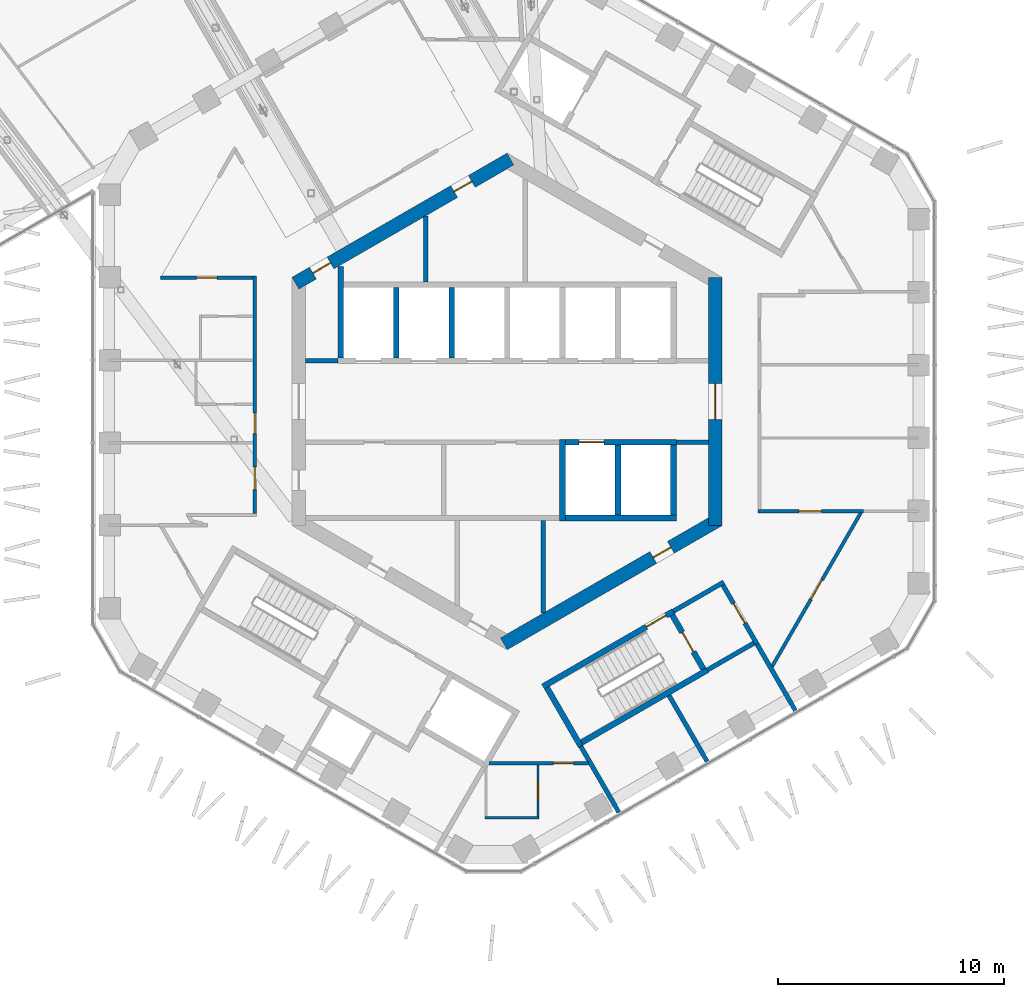
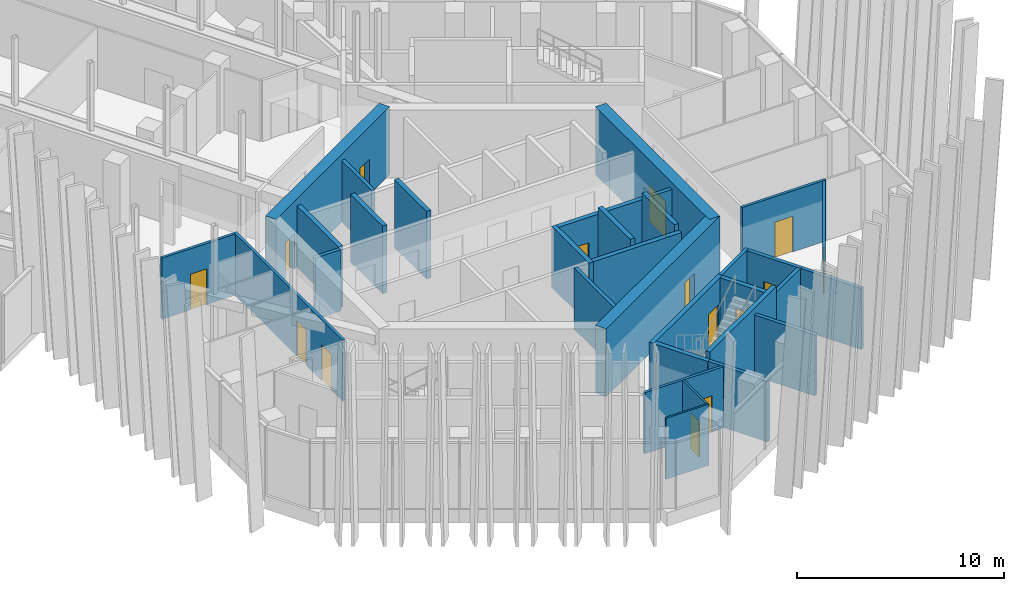
# One storey, part 19 of 29: 32 walls, 15 doors, 15 openings.
"""IFC4 building model written with IfcOpenShell, lengths in metres."""

from ifc_helpers import new_model, si_unit, direction, frame, frame_2d, origin, place, context, subcontext, project, spatial, rectangle, extrude, material, layer, layer_set, type_object, element, fill, save


model = new_model("IFC4")

# Units and contexts
model_context = context("Model", 3, precision=1e-05, world=origin(), true_north=direction((0.0, 1.0)))
body_context = subcontext(model_context, "Body", "Model", "MODEL_VIEW")
ifc_project = project(units=[si_unit("LENGTHUNIT", "METRE"), si_unit("AREAUNIT", "SQUARE_METRE"), si_unit("VOLUMEUNIT", "CUBIC_METRE"), si_unit("PLANEANGLEUNIT", "RADIAN"), si_unit("MASSUNIT", "GRAM", prefix="KILO")], contexts=[model_context])

# Site, building, storey
site_placement = place(None, origin())
site = spatial("IfcSite", under=ifc_project, at=site_placement, CompositionType="ELEMENT")
building_placement = place(site_placement, origin())
building = spatial("IfcBuilding", under=site, at=building_placement, Name="Ayvan Gate Tower", CompositionType="ELEMENT")
storey_placement = place(building_placement, frame((0.0, 0.0, 186.699951171875)))
storey = spatial("IfcBuildingStorey", under=building, at=storey_placement, Name="L50", CompositionType="ELEMENT", Elevation=186.699951171875)

# Wall, opening, door
ifc_material_1 = material(Name="Concrete C60/75", Category="concrete")
ifc_layer_1 = layer(ifc_material_1, 0.60009765625)
ifc_layer_set_1 = layer_set([ifc_layer_1], Name="Concrete C60/75")
wall_type_1 = type_object("IfcWallType", Name="Core wall 600 C60/75", PredefinedType="SHEAR", material=ifc_layer_set_1)
wall_1_placement = place(storey_placement, frame((9.199951171875, -5.48486328125, 0.0), z_axis=(0.0, 0.0, 1.0), x_axis=(0.0, 1.0, 0.0)))
wall_1 = element("IfcWall", 1, at=wall_1_placement, inside=storey, type_object=wall_type_1, Name="CORE-L50-0", PredefinedType="SHEAR", context=body_context, shape_type="SweptSolid", body=[
    extrude(rectangle(XDim=10.9697265625, YDim=0.60009765625, at=frame_2d((5.48486328125, 0.0))), origin(), (0.0, 0.0, 1.0), 4.0),
])
opening_1_placement = place(wall_1_placement, frame((4.684814453125, 0.0, 0.0)))
opening_1 = element("IfcOpeningElement", 2, at=opening_1_placement, cuts=wall_1, Name="Opening L50-D55", PredefinedType="OPENING", context=body_context, shape_type="SweptSolid", body=[
    extrude(rectangle(XDim=1.60009765625, YDim=2.10009765625, at=frame_2d((0.800048828125, 1.050048828125))), frame((0.0, 0.31005859375, 0.0), z_axis=(0.0, -1.0, 0.0), x_axis=(1.0, 0.0, 0.0)), (0.0, 0.0, 1.0), 0.6201171875),
])
ifc_material_2 = material(Name="Timber door leaf", Category="wood")
door_type_1 = type_object("IfcDoorType", Name="DT-1600", OperationType="NOTDEFINED", PredefinedType="DOOR", material=ifc_material_2)
door_1_placement = place(opening_1_placement, origin())
door_1 = element("IfcDoor", 3, at=door_1_placement, inside=storey, type_object=door_type_1, Name="CD-L50-55", OperationType="SINGLE_SWING_LEFT", OverallHeight=2.10009765625, OverallWidth=1.60009765625, PredefinedType="DOOR", context=body_context, shape_type="SweptSolid", body=[
    extrude(rectangle(XDim=1.60009765625, YDim=2.10009765625, at=frame_2d((0.800048828125, 1.050048828125))), frame((0.0, 0.02490234375, 0.0), z_axis=(0.0, -1.0, 0.0), x_axis=(1.0, 0.0, 0.0)), (0.0, 0.0, 1.0), 0.050048828125),
])
fill(opening_1, door_1)

# Wall, openings, doors
wall_2_placement = place(storey_placement, frame((0.14990234375, 10.7099609375, 0.0), z_axis=(0.0, 0.0, 1.0), x_axis=(-0.866023993627, -0.500002442456, 0.0)))
wall_2 = element("IfcWall", 4, at=wall_2_placement, inside=storey, type_object=wall_type_1, Name="CORE-L50-2", PredefinedType="SHEAR", context=body_context, shape_type="SweptSolid", body=[
    extrude(rectangle(XDim=10.9697265625, YDim=0.60009765625, at=frame_2d((5.48486328125, 0.0))), origin(), (0.0, 0.0, 1.0), 4.0),
])
opening_2_placement = place(wall_2_placement, frame((9.182373046875, 0.0, 0.0)))
opening_2 = element("IfcOpeningElement", 5, at=opening_2_placement, cuts=wall_2, Name="Opening L50-D48", PredefinedType="OPENING", context=body_context, shape_type="SweptSolid", body=[
    extrude(rectangle(XDim=0.89990234375, YDim=2.10009765625, at=frame_2d((0.449951171875, 1.050048828125))), frame((0.0, 0.31005859375, 0.0), z_axis=(0.0, -1.0, 0.0), x_axis=(1.0, 0.0, 0.0)), (0.0, 0.0, 1.0), 0.6201171875),
])
opening_3_placement = place(wall_2_placement, frame((1.975341796875, 0.0, 0.0)))
opening_3 = element("IfcOpeningElement", 6, at=opening_3_placement, cuts=wall_2, Name="Opening L50-D49", PredefinedType="OPENING", context=body_context, shape_type="SweptSolid", body=[
    extrude(rectangle(XDim=0.89990234375, YDim=2.10009765625, at=frame_2d((0.449951171875, 1.050048828125))), frame((0.0, 0.31005859375, 0.0), z_axis=(0.0, -1.0, 0.0), x_axis=(1.0, 0.0, 0.0)), (0.0, 0.0, 1.0), 0.6201171875),
])
door_type_2 = type_object("IfcDoorType", Name="DT-900", OperationType="NOTDEFINED", PredefinedType="DOOR", material=ifc_material_2)
door_2_placement = place(opening_2_placement, origin())
door_2 = element("IfcDoor", 7, at=door_2_placement, inside=storey, type_object=door_type_2, Name="CD-L50-48", OperationType="SINGLE_SWING_RIGHT", OverallHeight=2.10009765625, OverallWidth=0.89990234375, PredefinedType="DOOR", context=body_context, shape_type="SweptSolid", body=[
    extrude(rectangle(XDim=0.89990234375, YDim=2.10009765625, at=frame_2d((0.449951171875, 1.050048828125))), frame((0.0, 0.02490234375, 0.0), z_axis=(0.0, -1.0, 0.0), x_axis=(1.0, 0.0, 0.0)), (0.0, 0.0, 1.0), 0.050048828125),
])
fill(opening_2, door_2)
door_3_placement = place(opening_3_placement, origin())
door_3 = element("IfcDoor", 8, at=door_3_placement, inside=storey, type_object=door_type_2, Name="CD-L50-49", OperationType="SINGLE_SWING_LEFT", OverallHeight=2.10009765625, OverallWidth=0.89990234375, PredefinedType="DOOR", context=body_context, shape_type="SweptSolid", body=[
    extrude(rectangle(XDim=0.89990234375, YDim=2.10009765625, at=frame_2d((0.449951171875, 1.050048828125))), frame((0.0, 0.02490234375, 0.0), z_axis=(0.0, -1.0, 0.0), x_axis=(1.0, 0.0, 0.0)), (0.0, 0.0, 1.0), 0.050048828125),
])
fill(opening_3, door_3)

# Wall, opening, door
wall_3_placement = place(storey_placement, frame((-0.14990234375, -10.7099609375, 0.0), z_axis=(0.0, 0.0, 1.0), x_axis=(0.866023993627, 0.500002442456, 0.0)))
wall_3 = element("IfcWall", 9, at=wall_3_placement, inside=storey, type_object=wall_type_1, Name="CORE-L50-5", PredefinedType="SHEAR", context=body_context, shape_type="SweptSolid", body=[
    extrude(rectangle(XDim=10.9697265625, YDim=0.60009765625, at=frame_2d((5.48486328125, 0.0))), origin(), (0.0, 0.0, 1.0), 4.0),
])
opening_4_placement = place(wall_3_placement, frame((7.627685546875, 0.0, 0.0)))
opening_4 = element("IfcOpeningElement", 10, at=opening_4_placement, cuts=wall_3, Name="Opening L50-D53", PredefinedType="OPENING", context=body_context, shape_type="SweptSolid", body=[
    extrude(rectangle(XDim=0.89990234375, YDim=2.10009765625, at=frame_2d((0.449951171875, 1.050048828125))), frame((0.0, 0.31005859375, 0.0), z_axis=(0.0, -1.0, 0.0), x_axis=(1.0, 0.0, 0.0)), (0.0, 0.0, 1.0), 0.6201171875),
])
door_4_placement = place(opening_4_placement, origin())
door_4 = element("IfcDoor", 11, at=door_4_placement, inside=storey, type_object=door_type_2, Name="CD-L50-53", OperationType="SINGLE_SWING_LEFT", OverallHeight=2.10009765625, OverallWidth=0.89990234375, PredefinedType="DOOR", context=body_context, shape_type="SweptSolid", body=[
    extrude(rectangle(XDim=0.89990234375, YDim=2.10009765625, at=frame_2d((0.449951171875, 1.050048828125))), frame((0.0, 0.02490234375, 0.0), z_axis=(0.0, -1.0, 0.0), x_axis=(1.0, 0.0, 0.0)), (0.0, 0.0, 1.0), 0.050048828125),
])
fill(opening_4, door_4)

# Wall, openings, doors
ifc_material_3 = material(Name="Plasterboard on steel stud", Category="steel")
ifc_layer_2 = layer(ifc_material_3, 0.14990234375)
ifc_layer_set_2 = layer_set([ifc_layer_2], Name="Plasterboard on steel stud")
wall_type_2 = type_object("IfcWallType", Name="WT-CORR-150", PredefinedType="PARTITIONING", material=ifc_layer_set_2)
wall_4_placement = place(storey_placement, frame((-11.14990234375, 5.54150390625, 0.0), z_axis=(0.0, 0.0, 1.0), x_axis=(0.0, -1.0, 0.0)))
wall_4 = element("IfcWall", 12, at=wall_4_placement, inside=storey, type_object=wall_type_2, Name="IW-L50-028", PredefinedType="PARTITIONING", context=body_context, shape_type="SweptSolid", body=[
    extrude(rectangle(XDim=10.48291015625, YDim=0.14990234375, at=frame_2d((5.241455078125, 0.0))), origin(), (0.0, 0.0, 1.0), 3.60009765625),
])
opening_5_placement = place(wall_4_placement, frame((6.0634765625, 0.0, 0.0)))
opening_5 = element("IfcOpeningElement", 13, at=opening_5_placement, cuts=wall_4, Name="Opening L50-D27", PredefinedType="OPENING", context=body_context, shape_type="SweptSolid", body=[
    extrude(rectangle(XDim=0.89990234375, YDim=2.10009765625, at=frame_2d((0.449951171875, 1.050048828125))), frame((0.0, 0.0849609375, 0.0), z_axis=(0.0, -1.0, 0.0), x_axis=(1.0, 0.0, 0.0)), (0.0, 0.0, 1.0), 0.169921875),
])
opening_6_placement = place(wall_4_placement, frame((8.43798828125, 0.0, 0.0)))
opening_6 = element("IfcOpeningElement", 14, at=opening_6_placement, cuts=wall_4, Name="Opening L50-D29", PredefinedType="OPENING", context=body_context, shape_type="SweptSolid", body=[
    extrude(rectangle(XDim=1.0, YDim=2.10009765625, at=frame_2d((0.5, 1.050048828125))), frame((0.0, 0.0849609375, 0.0), z_axis=(0.0, -1.0, 0.0), x_axis=(1.0, 0.0, 0.0)), (0.0, 0.0, 1.0), 0.169921875),
])
door_type_3 = type_object("IfcDoorType", Name="DT-1000", OperationType="NOTDEFINED", PredefinedType="DOOR", material=ifc_material_2)
door_5_placement = place(opening_6_placement, origin())
door_5 = element("IfcDoor", 15, at=door_5_placement, inside=storey, type_object=door_type_3, Name="ID-L50-029", OperationType="SINGLE_SWING_LEFT", OverallHeight=2.10009765625, OverallWidth=1.0, PredefinedType="DOOR", context=body_context, shape_type="SweptSolid", body=[
    extrude(rectangle(XDim=1.0, YDim=2.10009765625, at=frame_2d((0.5, 1.050048828125))), frame((0.0, 0.02490234375, 0.0), z_axis=(0.0, -1.0, 0.0), x_axis=(1.0, 0.0, 0.0)), (0.0, 0.0, 1.0), 0.050048828125),
])
fill(opening_6, door_5)
door_6_placement = place(opening_5_placement, origin())
door_6 = element("IfcDoor", 16, at=door_6_placement, inside=storey, type_object=door_type_2, Name="ID-L50-027", OperationType="SINGLE_SWING_LEFT", OverallHeight=2.10009765625, OverallWidth=0.89990234375, PredefinedType="DOOR", context=body_context, shape_type="SweptSolid", body=[
    extrude(rectangle(XDim=0.89990234375, YDim=2.10009765625, at=frame_2d((0.449951171875, 1.050048828125))), frame((0.0, 0.02490234375, 0.0), z_axis=(0.0, -1.0, 0.0), x_axis=(1.0, 0.0, 0.0)), (0.0, 0.0, 1.0), 0.050048828125),
])
fill(opening_5, door_6)

# Wall, opening, door
wall_5_placement = place(storey_placement, frame((-11.22509765625, 5.46630859375, 0.0), z_axis=(0.0, 0.0, 1.0), x_axis=(-1.0, 0.0, 0.0)))
wall_5 = element("IfcWall", 17, at=wall_5_placement, inside=storey, type_object=wall_type_2, Name="IW-L50-030", PredefinedType="PARTITIONING", context=body_context, shape_type="SweptSolid", body=[
    extrude(rectangle(XDim=4.086181640625, YDim=0.14990234375, at=frame_2d((2.04296875, 0.0))), origin(), (0.0, 0.0, 1.0), 3.60009765625),
])
opening_7_placement = place(wall_5_placement, frame((1.59326171875, 0.0, 0.0)))
opening_7 = element("IfcOpeningElement", 18, at=opening_7_placement, cuts=wall_5, Name="Opening L50-D25", PredefinedType="OPENING", context=body_context, shape_type="SweptSolid", body=[
    extrude(rectangle(XDim=0.89990234375, YDim=2.10009765625, at=frame_2d((0.449951171875, 1.050048828125))), frame((0.0, 0.0849609375, 0.0), z_axis=(0.0, -1.0, 0.0), x_axis=(1.0, 0.0, 0.0)), (0.0, 0.0, 1.0), 0.169921875),
])
door_7_placement = place(opening_7_placement, origin())
door_7 = element("IfcDoor", 19, at=door_7_placement, inside=storey, type_object=door_type_2, Name="ID-L50-025", OperationType="SINGLE_SWING_LEFT", OverallHeight=2.10009765625, OverallWidth=0.89990234375, PredefinedType="DOOR", context=body_context, shape_type="SweptSolid", body=[
    extrude(rectangle(XDim=0.89990234375, YDim=2.10009765625, at=frame_2d((0.449951171875, 1.050048828125))), frame((0.0, 0.02490234375, 0.0), z_axis=(0.0, -1.0, 0.0), x_axis=(1.0, 0.0, 0.0)), (0.0, 0.0, 1.0), 0.050048828125),
])
fill(opening_7, door_7)

wall_6_placement = place(storey_placement, frame((-0.794921875, -15.993408203125, 0.0), z_axis=(0.0, 0.0, 1.0), x_axis=(1.0, 0.0, 0.0)))
wall_6 = element("IfcWall", 20, at=wall_6_placement, inside=storey, type_object=wall_type_2, Name="IW-L50-084", PredefinedType="PARTITIONING", context=body_context, shape_type="SweptSolid", body=[
    extrude(rectangle(XDim=4.385986328125, YDim=0.14990234375, at=frame_2d((2.19287109375, 0.0))), origin(), (0.0, 0.0, 1.0), 3.60009765625),
])
opening_8_placement = place(wall_6_placement, frame((2.8369140625, 0.0, 0.0)))
opening_8 = element("IfcOpeningElement", 21, at=opening_8_placement, cuts=wall_6, Name="Opening L50-D31", PredefinedType="OPENING", context=body_context, shape_type="SweptSolid", body=[
    extrude(rectangle(XDim=0.89990234375, YDim=2.10009765625, at=frame_2d((0.449951171875, 1.050048828125))), frame((0.0, 0.0849609375, 0.0), z_axis=(0.0, -1.0, 0.0), x_axis=(1.0, 0.0, 0.0)), (0.0, 0.0, 1.0), 0.169921875),
])
door_8_placement = place(opening_8_placement, origin())
door_8 = element("IfcDoor", 22, at=door_8_placement, inside=storey, type_object=door_type_2, Name="ID-L50-031", OperationType="SINGLE_SWING_LEFT", OverallHeight=2.10009765625, OverallWidth=0.89990234375, PredefinedType="DOOR", context=body_context, shape_type="SweptSolid", body=[
    extrude(rectangle(XDim=0.89990234375, YDim=2.10009765625, at=frame_2d((0.449951171875, 1.050048828125))), frame((0.0, 0.02490234375, 0.0), z_axis=(0.0, -1.0, 0.0), x_axis=(1.0, 0.0, 0.0)), (0.0, 0.0, 1.0), 0.050048828125),
])
fill(opening_8, door_8)

wall_7_placement = place(storey_placement, frame((11.074951171875, -4.849609375, 0.0), z_axis=(0.0, 0.0, 1.0), x_axis=(1.0, 0.0, 0.0)))
wall_7 = element("IfcWall", 23, at=wall_7_placement, inside=storey, type_object=wall_type_2, Name="IW-L50-117", PredefinedType="PARTITIONING", context=body_context, shape_type="SweptSolid", body=[
    extrude(rectangle(XDim=4.66748046875, YDim=0.14990234375, at=frame_2d((2.333740234375, 0.0))), origin(), (0.0, 0.0, 1.0), 3.60009765625),
])
opening_9_placement = place(wall_7_placement, frame((1.81640625, 0.0, 0.0)))
opening_9 = element("IfcOpeningElement", 24, at=opening_9_placement, cuts=wall_7, Name="Opening L50-D21", PredefinedType="OPENING", context=body_context, shape_type="SweptSolid", body=[
    extrude(rectangle(XDim=1.0, YDim=2.10009765625, at=frame_2d((0.5, 1.050048828125))), frame((0.0, 0.0849609375, 0.0), z_axis=(0.0, -1.0, 0.0), x_axis=(1.0, 0.0, 0.0)), (0.0, 0.0, 1.0), 0.169921875),
])
door_9_placement = place(opening_9_placement, origin())
door_9 = element("IfcDoor", 25, at=door_9_placement, inside=storey, type_object=door_type_3, Name="ID-L50-021", OperationType="SINGLE_SWING_LEFT", OverallHeight=2.10009765625, OverallWidth=1.0, PredefinedType="DOOR", context=body_context, shape_type="SweptSolid", body=[
    extrude(rectangle(XDim=1.0, YDim=2.10009765625, at=frame_2d((0.5, 1.050048828125))), frame((0.0, 0.02490234375, 0.0), z_axis=(0.0, -1.0, 0.0), x_axis=(1.0, 0.0, 0.0)), (0.0, 0.0, 1.0), 0.050048828125),
])
fill(opening_9, door_9)

wall_8_placement = place(storey_placement, frame((15.6298828125, -4.91455078125, 0.0), z_axis=(0.0, 0.0, 1.0), x_axis=(-0.499989217622, -0.866031628904, 0.0)))
wall_8 = element("IfcWall", 26, at=wall_8_placement, inside=storey, type_object=wall_type_2, Name="IW-L50-130", PredefinedType="PARTITIONING", context=body_context, shape_type="SweptSolid", body=[
    extrude(rectangle(XDim=7.843017578125, YDim=0.14990234375, at=frame_2d((3.92138671875, 0.0))), origin(), (0.0, 0.0, 1.0), 3.60009765625),
])
opening_10_placement = place(wall_8_placement, frame((3.42138671875, 0.0, 0.0)))
opening_10 = element("IfcOpeningElement", 27, at=opening_10_placement, cuts=wall_8, Name="Opening L50-D33", PredefinedType="OPENING", context=body_context, shape_type="SweptSolid", body=[
    extrude(rectangle(XDim=1.0, YDim=2.10009765625, at=frame_2d((0.5, 1.050048828125))), frame((0.0, 0.0849609375, 0.0), z_axis=(0.0, -1.0, 0.0), x_axis=(1.0, 0.0, 0.0)), (0.0, 0.0, 1.0), 0.169921875),
])
door_10_placement = place(opening_10_placement, origin())
door_10 = element("IfcDoor", 28, at=door_10_placement, inside=storey, type_object=door_type_3, Name="ID-L50-033", OperationType="SINGLE_SWING_LEFT", OverallHeight=2.10009765625, OverallWidth=1.0, PredefinedType="DOOR", context=body_context, shape_type="SweptSolid", body=[
    extrude(rectangle(XDim=1.0, YDim=2.10009765625, at=frame_2d((0.5, 1.050048828125))), frame((0.0, 0.02490234375, 0.0), z_axis=(0.0, -1.0, 0.0), x_axis=(1.0, 0.0, 0.0)), (0.0, 0.0, 1.0), 0.050048828125),
])
fill(opening_10, door_10)

# Wall
ifc_layer_3 = layer(ifc_material_3, 0.10009765625)
ifc_layer_set_3 = layer_set([ifc_layer_3], Name="Plasterboard on steel stud")
wall_type_3 = type_object("IfcWallType", Name="WT-PART-100", PredefinedType="PARTITIONING", material=ifc_layer_set_3)
wall_9_placement = place(storey_placement, frame((-0.9873046875, -18.393310546875, 0.0), z_axis=(0.0, 0.0, 1.0), x_axis=(1.0, 0.0, 0.0)))
element("IfcWall", 29, at=wall_9_placement, inside=storey, type_object=wall_type_3, Name="IW-L50-066", PredefinedType="PARTITIONING", context=body_context, shape_type="SweptSolid", body=[
    extrude(rectangle(XDim=2.400146484375, YDim=0.10009765625, at=frame_2d((1.2001953125, 0.0))), origin(), (0.0, 0.0, 1.0), 3.60009765625),
])

# Wall, opening, door
wall_10_placement = place(storey_placement, frame((1.36279296875, -18.34326171875, 0.0), z_axis=(0.0, 0.0, 1.0), x_axis=(0.0, 1.0, 0.0)))
wall_10 = element("IfcWall", 30, at=wall_10_placement, inside=storey, type_object=wall_type_3, Name="IW-L50-083", PredefinedType="PARTITIONING", context=body_context, shape_type="SweptSolid", body=[
    extrude(rectangle(XDim=2.27490234375, YDim=0.10009765625, at=frame_2d((1.137451171875, 0.0))), origin(), (0.0, 0.0, 1.0), 3.60009765625),
])
opening_11_placement = place(wall_10_placement, frame((0.737548828125, 0.0, 0.0)))
opening_11 = element("IfcOpeningElement", 31, at=opening_11_placement, cuts=wall_10, Name="Opening L50-D32", PredefinedType="OPENING", context=body_context, shape_type="SweptSolid", body=[
    extrude(rectangle(XDim=0.800048828125, YDim=2.10009765625, at=frame_2d((0.39990234375, 1.050048828125))), frame((0.0, 0.06005859375, 0.0), z_axis=(0.0, -1.0, 0.0), x_axis=(1.0, 0.0, 0.0)), (0.0, 0.0, 1.0), 0.1201171875),
])
door_type_4 = type_object("IfcDoorType", Name="DT-800", OperationType="NOTDEFINED", PredefinedType="DOOR", material=ifc_material_2)
door_11_placement = place(opening_11_placement, origin())
door_11 = element("IfcDoor", 32, at=door_11_placement, inside=storey, type_object=door_type_4, Name="ID-L50-032", OperationType="SINGLE_SWING_RIGHT", OverallHeight=2.10009765625, OverallWidth=0.800048828125, PredefinedType="DOOR", context=body_context, shape_type="SweptSolid", body=[
    extrude(rectangle(XDim=0.800048828125, YDim=2.10009765625, at=frame_2d((0.39990234375, 1.050048828125))), frame((0.0, 0.02490234375, 0.0), z_axis=(0.0, -1.0, 0.0), x_axis=(1.0, 0.0, 0.0)), (0.0, 0.0, 1.0), 0.050048828125),
])
fill(opening_11, door_11)

# Walls
ifc_layer_4 = layer(ifc_material_3, 0.199951171875)
ifc_layer_set_4 = layer_set([ifc_layer_4], Name="Plasterboard on steel stud")
wall_type_4 = type_object("IfcWallType", Name="WT-PLUMB-200", PredefinedType="PLUMBINGWALL", material=ifc_layer_set_4)
for number, where, z_axis, x_axis, name in (
    (33, (3.255615234375, -15.23876953125, 0.0), (0.0, 0.0, 1.0), (0.499971653852, -0.866041768822, 0.0), "IW-L50-094"),
    (34, (7.152587890625, -12.98876953125, 0.0), (0.0, 0.0, 1.0), (0.500026084466, -0.866010343387, 0.0), "IW-L50-103"),
):
    element("IfcWall", number, at=place(storey_placement, frame(where, z_axis=z_axis, x_axis=x_axis)), inside=storey, type_object=wall_type_4, Name=name, PredefinedType="PLUMBINGWALL", context=body_context, shape_type="SweptSolid", body=[
        extrude(rectangle(XDim=3.364013671875, YDim=0.199951171875, at=frame_2d((1.68212890625, 0.0))), origin(), (0.0, 0.0, 1.0), 3.60009765625),
    ])
wall_11_placement = place(storey_placement, frame((10.900634765625, -10.6806640625, 0.0), z_axis=(0.0, 0.0, 1.0), x_axis=(-0.866007538022, -0.500030943131, 0.0)))
element("IfcWall", 35, at=wall_11_placement, inside=storey, type_object=wall_type_4, Name="IW-L50-115", PredefinedType="PLUMBINGWALL", context=body_context, shape_type="SweptSolid", body=[
    extrude(rectangle(XDim=2.374755859375, YDim=0.199951171875, at=frame_2d((1.1875, 0.0))), origin(), (0.0, 0.0, 1.0), 3.60009765625),
])
wall_12_placement = place(storey_placement, frame((11.037353515625, -10.71728515625, 0.0), z_axis=(0.0, 0.0, 1.0), x_axis=(0.499982299553, -0.866035622901, 0.0)))
element("IfcWall", 36, at=wall_12_placement, inside=storey, type_object=wall_type_4, Name="IW-L50-116", PredefinedType="PLUMBINGWALL", context=body_context, shape_type="SweptSolid", body=[
    extrude(rectangle(XDim=3.388671875, YDim=0.199951171875, at=frame_2d((1.6943359375, 0.0))), origin(), (0.0, 0.0, 1.0), 3.60009765625),
])
ifc_layer_5 = layer(ifc_material_3, 0.199951171875)
ifc_layer_set_5 = layer_set([ifc_layer_5], Name="Plasterboard on steel stud")
wall_type_5 = type_object("IfcWallType", Name="WT-RATED-200", PredefinedType="PARTITIONING", material=ifc_layer_set_5)
wall_13_placement = place(storey_placement, frame((-8.89990234375, 1.800048828125, 0.0), z_axis=(0.0, 0.0, 1.0), x_axis=(1.0, 0.0, 0.0)))
element("IfcWall", 37, at=wall_13_placement, inside=storey, type_object=wall_type_5, Name="IW-L50-034", PredefinedType="PARTITIONING", context=body_context, shape_type="SweptSolid", body=[
    extrude(rectangle(XDim=1.425048828125, YDim=0.199951171875, at=frame_2d((0.71240234375, 0.0))), origin(), (0.0, 0.0, 1.0), 3.60009765625),
])
wall_14_placement = place(storey_placement, frame((-3.60009765625, 8.198486328125, 0.0), z_axis=(0.0, 0.0, 1.0), x_axis=(0.0, -1.0, 0.0)))
element("IfcWall", 38, at=wall_14_placement, inside=storey, type_object=wall_type_5, Name="IW-L50-054", PredefinedType="PARTITIONING", context=body_context, shape_type="SweptSolid", body=[
    extrude(rectangle(XDim=2.923583984375, YDim=0.199951171875, at=frame_2d((1.4619140625, 0.0))), origin(), (0.0, 0.0, 1.0), 3.60009765625),
])
wall_15_placement = place(storey_placement, frame((1.60009765625, -5.25, 0.0), z_axis=(0.0, 0.0, 1.0), x_axis=(0.0, -1.0, 0.0)))
element("IfcWall", 39, at=wall_15_placement, inside=storey, type_object=wall_type_5, Name="IW-L50-086", PredefinedType="PARTITIONING", context=body_context, shape_type="SweptSolid", body=[
    extrude(rectangle(XDim=4.10302734375, YDim=0.199951171875, at=frame_2d((2.051513671875, 0.0))), origin(), (0.0, 0.0, 1.0), 3.60009765625),
])
wall_16_placement = place(storey_placement, frame((7.343994140625, -9.27001953125, 0.0), z_axis=(0.0, 0.0, 1.0), x_axis=(0.866005588531, 0.500034319456, 0.0)))
element("IfcWall", 40, at=wall_16_placement, inside=storey, type_object=wall_type_5, Name="IW-L50-106", PredefinedType="PARTITIONING", context=body_context, shape_type="SweptSolid", body=[
    extrude(rectangle(XDim=2.574951171875, YDim=0.199951171875, at=frame_2d((1.28759765625, 0.0))), origin(), (0.0, 0.0, 1.0), 3.60009765625),
])
wall_17_placement = place(storey_placement, frame((8.89990234375, -1.800048828125, 0.0), z_axis=(0.0, 0.0, 1.0), x_axis=(-1.0, 0.0, 0.0)))
element("IfcWall", 41, at=wall_17_placement, inside=storey, type_object=wall_type_5, Name="IW-L50-113", PredefinedType="PARTITIONING", context=body_context, shape_type="SweptSolid", body=[
    extrude(rectangle(XDim=1.425048828125, YDim=0.199951171875, at=frame_2d((0.71240234375, 0.0))), origin(), (0.0, 0.0, 1.0), 3.60009765625),
])

# Wall, opening, door
wall_18_placement = place(storey_placement, frame((9.537353515625, -8.119140625, 0.0), z_axis=(0.0, 0.0, 1.0), x_axis=(0.499990139034, -0.866031096941, 0.0)))
wall_18 = element("IfcWall", 42, at=wall_18_placement, inside=storey, type_object=wall_type_5, Name="IW-L50-114", PredefinedType="PARTITIONING", context=body_context, shape_type="SweptSolid", body=[
    extrude(rectangle(XDim=3.0, YDim=0.199951171875, at=frame_2d((1.5, 0.0))), origin(), (0.0, 0.0, 1.0), 3.60009765625),
])
opening_12_placement = place(wall_18_placement, frame((0.93505859375, 0.0, 0.0)))
opening_12 = element("IfcOpeningElement", 43, at=opening_12_placement, cuts=wall_18, Name="Opening L50-D19", PredefinedType="OPENING", context=body_context, shape_type="SweptSolid", body=[
    extrude(rectangle(XDim=1.0, YDim=2.10009765625, at=frame_2d((0.5, 1.050048828125))), frame((0.0, 0.10986328125, 0.0), z_axis=(0.0, -1.0, 0.0), x_axis=(1.0, 0.0, 0.0)), (0.0, 0.0, 1.0), 0.219970703125),
])
door_12_placement = place(opening_12_placement, origin())
door_12 = element("IfcDoor", 44, at=door_12_placement, inside=storey, type_object=door_type_3, Name="ID-L50-019", OperationType="SINGLE_SWING_LEFT", OverallHeight=2.10009765625, OverallWidth=1.0, PredefinedType="DOOR", context=body_context, shape_type="SweptSolid", body=[
    extrude(rectangle(XDim=1.0, YDim=2.10009765625, at=frame_2d((0.5, 1.050048828125))), frame((0.0, 0.02490234375, 0.0), z_axis=(0.0, -1.0, 0.0), x_axis=(1.0, 0.0, 0.0)), (0.0, 0.0, 1.0), 0.050048828125),
])
fill(opening_12, door_12)

# Walls
ifc_material_4 = material(Name="Concrete C50/60", Category="concrete")
ifc_layer_6 = layer(ifc_material_4, 0.25)
ifc_layer_set_6 = layer_set([ifc_layer_6], Name="Concrete C50/60")
wall_type_6 = type_object("IfcWallType", Name="WT-RC-250", PredefinedType="SHEAR", material=ifc_layer_set_6)
wall_19_placement = place(storey_placement, frame((-7.35009765625, 1.925048828125, 0.0), z_axis=(0.0, 0.0, 1.0), x_axis=(0.0, 1.0, 0.0)))
element("IfcWall", 45, at=wall_19_placement, inside=storey, type_object=wall_type_6, Name="IW-L50-045", PredefinedType="SHEAR", context=body_context, shape_type="SweptSolid", body=[
    extrude(rectangle(XDim=4.0361328125, YDim=0.25, at=frame_2d((2.01806640625, 0.0))), origin(), (0.0, 0.0, 1.0), 3.60009765625),
])
for number, where, z_axis, x_axis, name in (
    (46, (-4.89990234375, 5.02490234375, 0.0), (0.0, 0.0, 1.0), (0.0, -1.0, 0.0), "IW-L50-051"),
    (47, (-2.449951171875, 5.02490234375, 0.0), (0.0, 0.0, 1.0), (0.0, -1.0, 0.0), "IW-L50-060"),
):
    element("IfcWall", number, at=place(storey_placement, frame(where, z_axis=z_axis, x_axis=x_axis)), inside=storey, type_object=wall_type_6, Name=name, PredefinedType="SHEAR", context=body_context, shape_type="SweptSolid", body=[
        extrude(rectangle(XDim=3.099853515625, YDim=0.25, at=frame_2d((1.5498046875, 0.0))), origin(), (0.0, 0.0, 1.0), 4.0),
    ])

# Wall, opening, door
wall_20_placement = place(storey_placement, frame((1.584716796875, -12.594970703125, 0.0), z_axis=(0.0, 0.0, 1.0), x_axis=(0.866036417653, 0.499980922934, 0.0)))
wall_20 = element("IfcWall", 48, at=wall_20_placement, inside=storey, type_object=wall_type_6, Name="IW-L50-087", PredefinedType="SHEAR", context=body_context, shape_type="SweptSolid", body=[
    extrude(rectangle(XDim=6.650146484375, YDim=0.25, at=frame_2d((3.3251953125, 0.0))), origin(), (0.0, 0.0, 1.0), 3.60009765625),
])
opening_13_placement = place(wall_20_placement, frame((5.27490234375, 0.0, 0.0)))
opening_13 = element("IfcOpeningElement", 49, at=opening_13_placement, cuts=wall_20, Name="Opening L50-D18", PredefinedType="OPENING", context=body_context, shape_type="SweptSolid", body=[
    extrude(rectangle(XDim=1.0, YDim=2.10009765625, at=frame_2d((0.5, 1.050048828125))), frame((0.0, 0.135009765625, 0.0), z_axis=(0.0, -1.0, 0.0), x_axis=(1.0, 0.0, 0.0)), (0.0, 0.0, 1.0), 0.27001953125),
])
door_13_placement = place(opening_13_placement, origin())
door_13 = element("IfcDoor", 50, at=door_13_placement, inside=storey, type_object=door_type_3, Name="ID-L50-018", OperationType="SINGLE_SWING_RIGHT", OverallHeight=2.10009765625, OverallWidth=1.0, PredefinedType="DOOR", context=body_context, shape_type="SweptSolid", body=[
    extrude(rectangle(XDim=1.0, YDim=2.10009765625, at=frame_2d((0.5, 1.050048828125))), frame((0.0, 0.02490234375, 0.0), z_axis=(0.0, -1.0, 0.0), x_axis=(1.0, 0.0, 0.0)), (0.0, 0.0, 1.0), 0.050048828125),
])
fill(opening_13, door_13)

# Walls
wall_21_placement = place(storey_placement, frame((2.449951171875, -5.27490234375, 0.0), z_axis=(0.0, 0.0, 1.0), x_axis=(0.0, 1.0, 0.0)))
element("IfcWall", 51, at=wall_21_placement, inside=storey, type_object=wall_type_6, Name="IW-L50-088", PredefinedType="SHEAR", context=body_context, shape_type="SweptSolid", body=[
    extrude(rectangle(XDim=3.599853515625, YDim=0.25, at=frame_2d((1.7998046875, 0.0))), origin(), (0.0, 0.0, 1.0), 3.60009765625),
])
wall_22_placement = place(storey_placement, frame((3.255615234375, -15.23876953125, 0.0), z_axis=(0.0, 0.0, 1.0), x_axis=(-0.50002537861, 0.866010750942, 0.0)))
element("IfcWall", 52, at=wall_22_placement, inside=storey, type_object=wall_type_6, Name="IW-L50-092", PredefinedType="SHEAR", context=body_context, shape_type="SweptSolid", body=[
    extrude(rectangle(XDim=2.999755859375, YDim=0.25, at=frame_2d((1.5, 0.0))), origin(), (0.0, 0.0, 1.0), 3.60009765625),
])
wall_23_placement = place(storey_placement, frame((2.574951171875, -5.14990234375, 0.0), z_axis=(0.0, 0.0, 1.0), x_axis=(1.0, 0.0, 0.0)))
element("IfcWall", 53, at=wall_23_placement, inside=storey, type_object=wall_type_6, Name="IW-L50-097", PredefinedType="SHEAR", context=body_context, shape_type="SweptSolid", body=[
    extrude(rectangle(XDim=4.900146484375, YDim=0.25, at=frame_2d((2.4501953125, 0.0))), origin(), (0.0, 0.0, 1.0), 3.60009765625),
])
wall_24_placement = place(storey_placement, frame((4.89990234375, -1.925048828125, 0.0), z_axis=(0.0, 0.0, 1.0), x_axis=(0.0, -1.0, 0.0)))
element("IfcWall", 54, at=wall_24_placement, inside=storey, type_object=wall_type_6, Name="IW-L50-098", PredefinedType="SHEAR", context=body_context, shape_type="SweptSolid", body=[
    extrude(rectangle(XDim=3.099853515625, YDim=0.25, at=frame_2d((1.5498046875, 0.0))), origin(), (0.0, 0.0, 1.0), 4.0),
])

# Wall, opening, door
wall_25_placement = place(storey_placement, frame((2.574951171875, -1.800048828125, 0.0), z_axis=(0.0, 0.0, 1.0), x_axis=(1.0, 0.0, 0.0)))
wall_25 = element("IfcWall", 55, at=wall_25_placement, inside=storey, type_object=wall_type_6, Name="IW-L50-100", PredefinedType="SHEAR", context=body_context, shape_type="SweptSolid", body=[
    extrude(rectangle(XDim=4.900146484375, YDim=0.25, at=frame_2d((2.4501953125, 0.0))), origin(), (0.0, 0.0, 1.0), 3.60009765625),
])
opening_14_placement = place(wall_25_placement, frame((0.597412109375, 0.0, 0.0)))
opening_14 = element("IfcOpeningElement", 56, at=opening_14_placement, cuts=wall_25, Name="Opening L50-LD-SV", PredefinedType="OPENING", context=body_context, shape_type="SweptSolid", body=[
    extrude(rectangle(XDim=1.10009765625, YDim=2.10009765625, at=frame_2d((0.550048828125, 1.050048828125))), frame((0.0, 0.135009765625, 0.0), z_axis=(0.0, -1.0, 0.0), x_axis=(1.0, 0.0, 0.0)), (0.0, 0.0, 1.0), 0.27001953125),
])
ifc_material_5 = material(Name="Stainless steel landing door", Category="steel")
door_type_5 = type_object("IfcDoorType", Name="DT-LANDING-1100", OperationType="SLIDING_TO_LEFT", PredefinedType="DOOR", material=ifc_material_5)
door_14_placement = place(opening_14_placement, origin())
door_14 = element("IfcDoor", 57, at=door_14_placement, inside=storey, type_object=door_type_5, Name="ID-L50-007", OperationType="SLIDING_TO_LEFT", OverallHeight=2.10009765625, OverallWidth=1.10009765625, PredefinedType="DOOR", context=body_context, shape_type="SweptSolid", body=[
    extrude(rectangle(XDim=1.10009765625, YDim=2.10009765625, at=frame_2d((0.550048828125, 1.050048828125))), frame((0.0, 0.02490234375, 0.0), z_axis=(0.0, -1.0, 0.0), x_axis=(1.0, 0.0, 0.0)), (0.0, 0.0, 1.0), 0.050048828125),
])
fill(opening_14, door_14)

# Wall
wall_26_placement = place(storey_placement, frame((3.30126953125, -15.068115234375, 0.0), z_axis=(0.0, 0.0, 1.0), x_axis=(0.866035036182, 0.499983315828, 0.0)))
element("IfcWall", 58, at=wall_26_placement, inside=storey, type_object=wall_type_6, Name="IW-L50-104", PredefinedType="SHEAR", context=body_context, shape_type="SweptSolid", body=[
    extrude(rectangle(XDim=6.400146484375, YDim=0.25, at=frame_2d((3.2001953125, 0.0))), origin(), (0.0, 0.0, 1.0), 4.0),
])

# Wall, opening, door
wall_27_placement = place(storey_placement, frame((7.298095703125, -9.44091796875, 0.0), z_axis=(0.0, 0.0, 1.0), x_axis=(0.500034990121, -0.866005201286, 0.0)))
wall_27 = element("IfcWall", 59, at=wall_27_placement, inside=storey, type_object=wall_type_6, Name="IW-L50-105", PredefinedType="SHEAR", context=body_context, shape_type="SweptSolid", body=[
    extrude(rectangle(XDim=2.749755859375, YDim=0.25, at=frame_2d((1.375, 0.0))), origin(), (0.0, 0.0, 1.0), 3.60009765625),
])
opening_15_placement = place(wall_27_placement, frame((0.875, 0.0, 0.0)))
opening_15 = element("IfcOpeningElement", 60, at=opening_15_placement, cuts=wall_27, Name="Opening L50-D20", PredefinedType="OPENING", context=body_context, shape_type="SweptSolid", body=[
    extrude(rectangle(XDim=1.0, YDim=2.10009765625, at=frame_2d((0.5, 1.050048828125))), frame((0.0, 0.135009765625, 0.0), z_axis=(0.0, -1.0, 0.0), x_axis=(1.0, 0.0, 0.0)), (0.0, 0.0, 1.0), 0.27001953125),
])
door_15_placement = place(opening_15_placement, origin())
door_15 = element("IfcDoor", 61, at=door_15_placement, inside=storey, type_object=door_type_3, Name="ID-L50-020", OperationType="SINGLE_SWING_RIGHT", OverallHeight=2.10009765625, OverallWidth=1.0, PredefinedType="DOOR", context=body_context, shape_type="SweptSolid", body=[
    extrude(rectangle(XDim=1.0, YDim=2.10009765625, at=frame_2d((0.5, 1.050048828125))), frame((0.0, 0.02490234375, 0.0), z_axis=(0.0, -1.0, 0.0), x_axis=(1.0, 0.0, 0.0)), (0.0, 0.0, 1.0), 0.050048828125),
])
fill(opening_15, door_15)

# Wall
wall_28_placement = place(storey_placement, frame((7.35009765625, -1.925048828125, 0.0), z_axis=(0.0, 0.0, 1.0), x_axis=(0.0, -1.0, 0.0)))
element("IfcWall", 62, at=wall_28_placement, inside=storey, type_object=wall_type_6, Name="IW-L50-108", PredefinedType="SHEAR", context=body_context, shape_type="SweptSolid", body=[
    extrude(rectangle(XDim=3.099853515625, YDim=0.25, at=frame_2d((1.5498046875, 0.0))), origin(), (0.0, 0.0, 1.0), 4.0),
])

save(model, "model.ifc")
